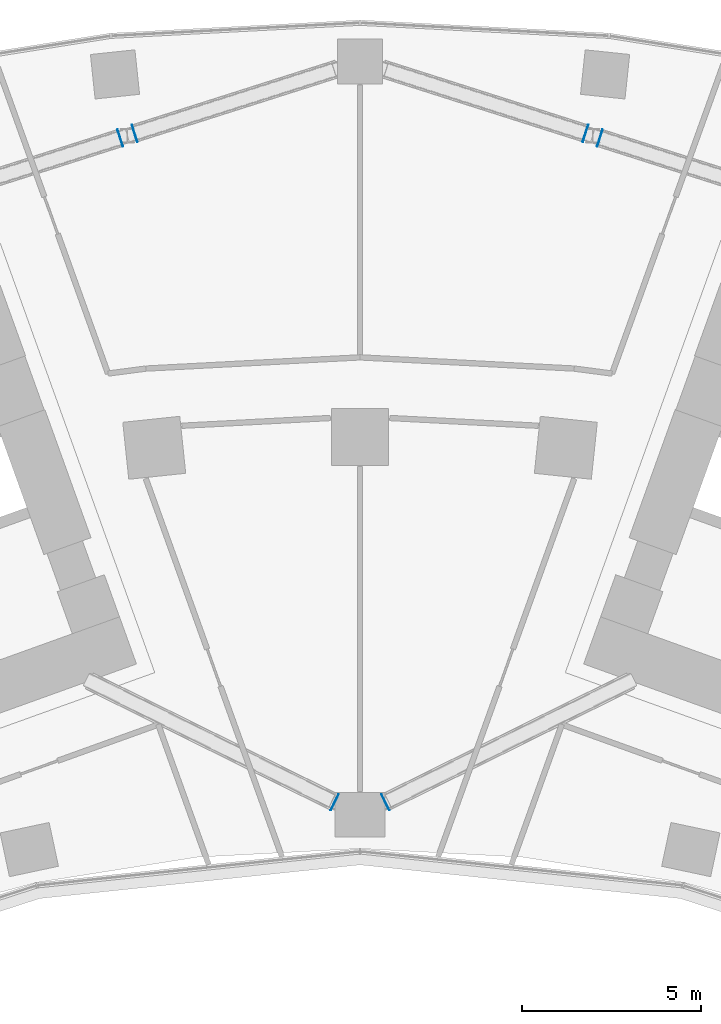
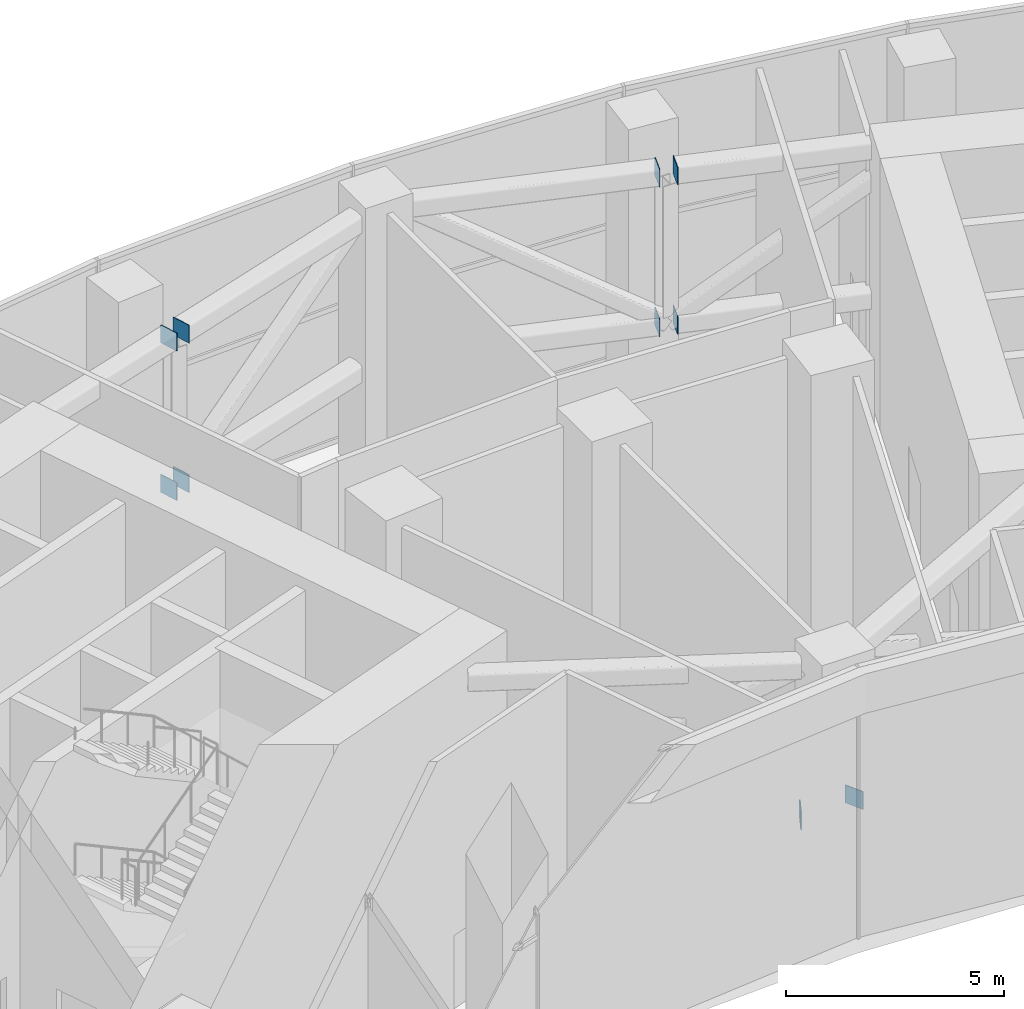
# One storey, part 22 of 33: 10 plates.
"""IFC4 building model written with IfcOpenShell, lengths in metres."""

from ifc_helpers import new_model, si_unit, direction, frame, origin, origin_2d, place, context, subcontext, project, spatial, rectangle, extrude, material, layer, layer_set, type_object, element, save


model = new_model("IFC4")

# Units and contexts
model_context = context("Model", 3, precision=1e-05, world=origin(), true_north=direction((0.0, 1.0)))
body_context = subcontext(model_context, "Body", "Model", "MODEL_VIEW")
ifc_project = project(units=[si_unit("LENGTHUNIT", "METRE"), si_unit("AREAUNIT", "SQUARE_METRE"), si_unit("VOLUMEUNIT", "CUBIC_METRE"), si_unit("PLANEANGLEUNIT", "RADIAN"), si_unit("MASSUNIT", "GRAM", prefix="KILO")], contexts=[model_context])

# Site, building, storey
site_placement = place(None, origin())
site = spatial("IfcSite", under=ifc_project, at=site_placement, CompositionType="ELEMENT")
building_placement = place(site_placement, origin())
building = spatial("IfcBuilding", under=site, at=building_placement, Name="Stone Belt Terrace Tower", CompositionType="ELEMENT")
storey_placement = place(building_placement, frame((0.0, 0.0, 79.39990234375)))
storey = spatial("IfcBuildingStorey", under=building, at=storey_placement, Name="L19", CompositionType="ELEMENT", Elevation=79.39990234375)

# Plates
ifc_material = material(Name="Structural steel C345", Category="steel")
ifc_layer = layer(ifc_material, 0.02001953125)
ifc_layer_set = layer_set([ifc_layer], Name="Chord end plate 20")
plate_type = type_object("IfcPlateType", Name="Chord end plate 20", PredefinedType="SHEET", material=ifc_layer_set)
for number, where, z_axis, x_axis, name in (
    (1, (-0.708984375, 44.795654296875, 2.60009765625), (0.0, 0.0, 1.0), (0.896377367218, -0.443291795028, 0.0), "Chord end plate"),
    (2, (-6.297119140625, 63.482421875, 6.780029296875), (0.0, 0.0, 1.0), (-0.952798819104, -0.303602388518, 0.0), "Chord end plate"),
    (3, (-6.297119140625, 63.482421875, 2.60009765625), (0.0, 0.0, 1.0), (-0.952798819104, -0.303602388518, 0.0), "Chord end plate"),
    (4, (-6.699951171875, 63.35400390625, 6.780029296875), (0.0, 0.0, 1.0), (0.952798819104, 0.303602388518, 0.0), "Chord end plate"),
    (5, (-6.699951171875, 63.35400390625, 2.60009765625), (0.0, 0.0, 1.0), (0.952798819104, 0.303602388518, 0.0), "Chord end plate"),
    (6, (0.708984375, 44.795654296875, 2.60009765625), (0.0, 0.0, 1.0), (-0.896377367218, -0.443291795028, 0.0), "Chord end plate"),
    (7, (6.297119140625, 63.482421875, 6.780029296875), (0.0, 0.0, 1.0), (0.952798819104, -0.303602388518, 0.0), "Chord end plate"),
    (8, (6.297119140625, 63.482421875, 2.60009765625), (0.0, 0.0, 1.0), (0.952798819104, -0.303602388518, 0.0), "Chord end plate"),
    (9, (6.699951171875, 63.35400390625, 6.780029296875), (0.0, 0.0, 1.0), (-0.952798819104, 0.303602388518, 0.0), "Chord end plate"),
    (10, (6.699951171875, 63.35400390625, 2.60009765625), (0.0, 0.0, 1.0), (-0.952798819104, 0.303602388518, 0.0), "Chord end plate"),
):
    element("IfcPlate", number, at=place(storey_placement, frame(where, z_axis=z_axis, x_axis=x_axis)), inside=storey, type_object=plate_type, Name=name, PredefinedType="SHEET", context=body_context, shape_type="SweptSolid", body=[
        extrude(rectangle(XDim=0.02001953125, YDim=0.5, at=origin_2d()), origin(), (0.0, 0.0, 1.0), 0.5),
    ])

save(model, "model.ifc")
